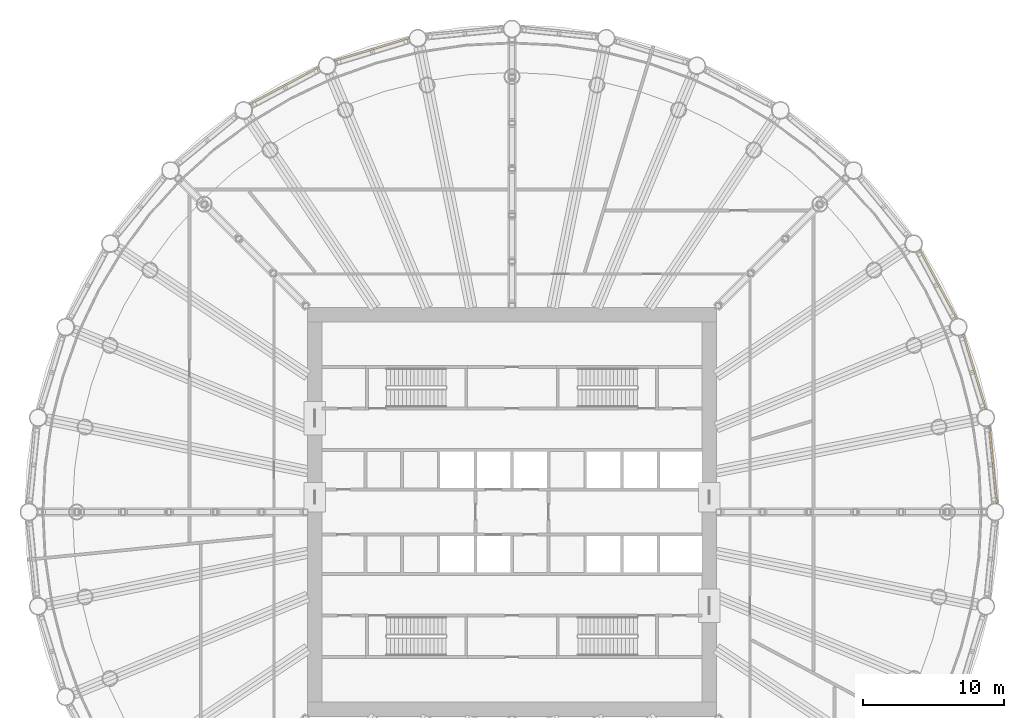
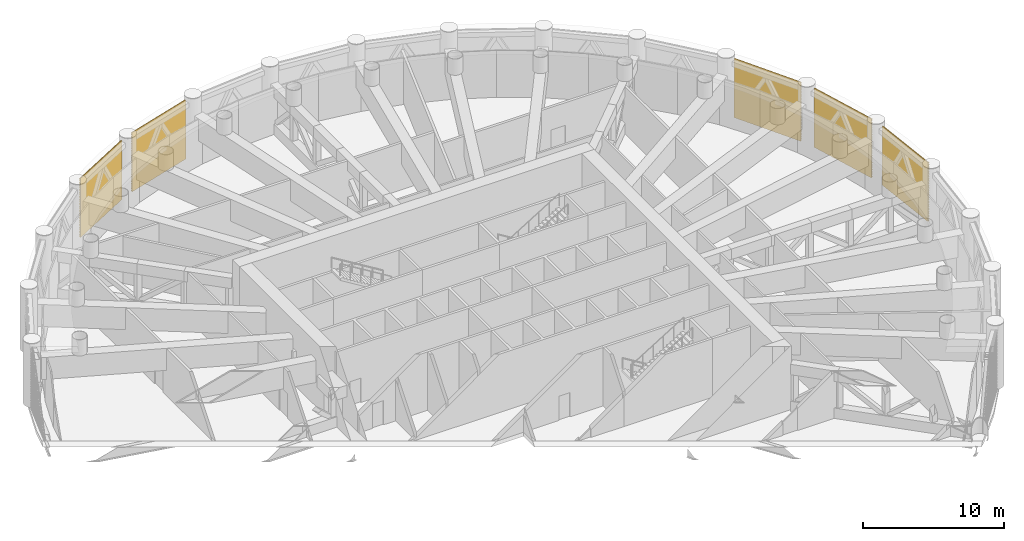
# One storey, part 28 of 29: 5 shading devices, 5 elements without a shape of their own.
"""IFC4 building model written with IfcOpenShell, lengths in metres."""

from ifc_helpers import new_model, si_unit, direction, frame, origin, place, context, subcontext, project, spatial, polyline, outline, extrude, material, material_profile, profile_set, type_object, element, aggregate, save


model = new_model("IFC4")

# Units and contexts
model_context = context("Model", 3, precision=1e-05, world=origin(), true_north=direction((0.0, 1.0)))
body_context = subcontext(model_context, "Body", "Model", "MODEL_VIEW")
ifc_project = project(units=[si_unit("LENGTHUNIT", "METRE"), si_unit("AREAUNIT", "SQUARE_METRE"), si_unit("VOLUMEUNIT", "CUBIC_METRE"), si_unit("PLANEANGLEUNIT", "RADIAN"), si_unit("MASSUNIT", "GRAM", prefix="KILO")], contexts=[model_context])

# Site, building, storey
site_placement = place(None, origin())
site = spatial("IfcSite", under=ifc_project, at=site_placement, CompositionType="ELEMENT")
building_placement = place(site_placement, origin())
building = spatial("IfcBuilding", under=site, at=building_placement, Name="Corvane Civic Tower", CompositionType="ELEMENT")
storey_placement = place(building_placement, frame((0.0, 0.0, 138.5)))
storey = spatial("IfcBuildingStorey", under=building, at=storey_placement, Name="L32", CompositionType="ELEMENT", Elevation=138.5)

# Curtain wall, shading device
ifc_material_1 = material(Name="Anodised aluminium bronze", Category="aluminium")
curtain_wall_type = type_object("IfcCurtainWallType", Name="TOWER CW-LV LOUVRE SCREEN WALL", PredefinedType="NOTDEFINED", material=ifc_material_1)
curtain_wall_1_placement = place(storey_placement, origin())
curtain_wall_1 = element("IfcCurtainWall", 1, at=curtain_wall_1_placement, inside=storey, type_object=curtain_wall_type, Name="Louvre screen wall CW-LV L32 bay 06", PredefinedType="NOTDEFINED")
ifc_material_2 = material(Name="Anodised aluminium bronze", Category="aluminium")
ifc_material_profile = material_profile(ifc_material_2, outline(polyline([(-0.06005859375, -2.56494140625), (-0.0400390625, -2.56494140625), (0.06005859375, -2.492919921875), (0.06005859375, -2.472900390625), (-0.0400390625, -2.544921875), (-0.0400390625, -2.4140625), (0.06005859375, -2.342041015625), (0.06005859375, -2.322021484375), (-0.0400390625, -2.39404296875), (-0.0400390625, -2.26318359375), (0.06005859375, -2.191162109375), (0.06005859375, -2.171142578125), (-0.0400390625, -2.2431640625), (-0.0400390625, -2.1123046875), (0.06005859375, -2.040283203125), (0.06005859375, -2.0205078125), (-0.0400390625, -2.09228515625), (-0.0400390625, -1.96142578125), (0.06005859375, -1.889404296875), (0.06005859375, -1.869384765625), (-0.0400390625, -1.94140625), (-0.0400390625, -1.810546875), (0.06005859375, -1.738525390625), (0.06005859375, -1.718505859375), (-0.0400390625, -1.79052734375), (-0.0400390625, -1.65966796875), (0.06005859375, -1.587646484375), (0.06005859375, -1.567626953125), (-0.0400390625, -1.6396484375), (-0.0400390625, -1.5087890625), (0.06005859375, -1.436767578125), (0.06005859375, -1.416748046875), (-0.0400390625, -1.48876953125), (-0.0400390625, -1.35791015625), (0.06005859375, -1.285888671875), (0.06005859375, -1.265869140625), (-0.0400390625, -1.337890625), (-0.0400390625, -1.20703125), (0.06005859375, -1.135009765625), (0.06005859375, -1.114990234375), (-0.0400390625, -1.18701171875), (-0.0400390625, -1.05615234375), (0.06005859375, -0.984130859375), (0.06005859375, -0.964111328125), (-0.0400390625, -1.0361328125), (-0.0400390625, -0.9052734375), (0.06005859375, -0.833251953125), (0.06005859375, -0.813232421875), (-0.0400390625, -0.88525390625), (-0.0400390625, -0.75439453125), (0.06005859375, -0.682373046875), (0.06005859375, -0.662353515625), (-0.0400390625, -0.734375), (-0.0400390625, -0.603515625), (0.06005859375, -0.531494140625), (0.06005859375, -0.511474609375), (-0.0400390625, -0.58349609375), (-0.0400390625, -0.45263671875), (0.06005859375, -0.380615234375), (0.06005859375, -0.360595703125), (-0.0400390625, -0.4326171875), (-0.0400390625, -0.3017578125), (0.06005859375, -0.229736328125), (0.06005859375, -0.209716796875), (-0.0400390625, -0.28173828125), (-0.0400390625, -0.15087890625), (0.06005859375, -0.078857421875), (0.06005859375, -0.058837890625), (-0.0400390625, -0.130859375), (-0.0400390625, 0.0), (0.06005859375, 0.072021484375), (0.06005859375, 0.092041015625), (-0.0400390625, 0.02001953125), (-0.0400390625, 0.15087890625), (0.06005859375, 0.222900390625), (0.06005859375, 0.242919921875), (-0.0400390625, 0.1708984375), (-0.0400390625, 0.3017578125), (0.06005859375, 0.373779296875), (0.06005859375, 0.393798828125), (-0.0400390625, 0.32177734375), (-0.0400390625, 0.45263671875), (0.06005859375, 0.524658203125), (0.06005859375, 0.544677734375), (-0.0400390625, 0.47265625), (-0.0400390625, 0.603515625), (0.06005859375, 0.675537109375), (0.06005859375, 0.695556640625), (-0.0400390625, 0.62353515625), (-0.0400390625, 0.75439453125), (0.06005859375, 0.826416015625), (0.06005859375, 0.846435546875), (-0.0400390625, 0.7744140625), (-0.0400390625, 0.9052734375), (0.06005859375, 0.977294921875), (0.06005859375, 0.997314453125), (-0.0400390625, 0.92529296875), (-0.0400390625, 1.05615234375), (0.06005859375, 1.128173828125), (0.06005859375, 1.148193359375), (-0.0400390625, 1.076171875), (-0.0400390625, 1.20703125), (0.06005859375, 1.279052734375), (0.06005859375, 1.299072265625), (-0.0400390625, 1.22705078125), (-0.0400390625, 1.35791015625), (0.06005859375, 1.429931640625), (0.06005859375, 1.449951171875), (-0.0400390625, 1.3779296875), (-0.0400390625, 1.5087890625), (0.06005859375, 1.580810546875), (0.06005859375, 1.600830078125), (-0.0400390625, 1.52880859375), (-0.0400390625, 1.65966796875), (0.06005859375, 1.731689453125), (0.06005859375, 1.751708984375), (-0.0400390625, 1.6796875), (-0.0400390625, 1.810546875), (0.06005859375, 1.882568359375), (0.06005859375, 1.902587890625), (-0.0400390625, 1.83056640625), (-0.0400390625, 1.96142578125), (0.06005859375, 2.033447265625), (0.06005859375, 2.053466796875), (-0.0400390625, 1.9814453125), (-0.0400390625, 2.1123046875), (0.06005859375, 2.184326171875), (0.06005859375, 2.204345703125), (-0.0400390625, 2.13232421875), (-0.0400390625, 2.26318359375), (0.06005859375, 2.335205078125), (0.06005859375, 2.355224609375), (-0.0400390625, 2.283203125), (-0.0400390625, 2.4140625), (0.06005859375, 2.486083984375), (0.06005859375, 2.506103515625), (-0.0400390625, 2.43408203125), (-0.0400390625, 2.56494140625), (-0.06005859375, 2.56494140625), (-0.06005859375, -2.56494140625)])), Name="TOWER LOUVRE BANK 5130 BRONZE")
ifc_profile_set = profile_set([ifc_material_profile], Name="Anodised aluminium bronze")
shading_device_type = type_object("IfcShadingDeviceType", Name="TOWER LOUVRE BANK 5130 BRONZE", PredefinedType="USERDEFINED", material=ifc_profile_set)
shading_device_1_placement = place(storey_placement, frame((28.945556640625, 18.63916015625, 2.68505859375), z_axis=(0.47139778253, -0.881920705407, 0.0), x_axis=(0.881920705407, 0.47139778253, 0.0)))
shading_device_1 = element("IfcShadingDevice", 2, at=shading_device_1_placement, type_object=shading_device_type, Name="Louvre bank L32 06.1", ObjectType="LOUVRE", PredefinedType="USERDEFINED", context=body_context, shape_type="SweptSolid", body=[
    extrude(outline(polyline([(-0.06005859375, -2.56494140625), (-0.0400390625, -2.56494140625), (0.06005859375, -2.492919921875), (0.06005859375, -2.472900390625), (-0.0400390625, -2.544921875), (-0.0400390625, -2.4140625), (0.06005859375, -2.342041015625), (0.06005859375, -2.322021484375), (-0.0400390625, -2.39404296875), (-0.0400390625, -2.26318359375), (0.06005859375, -2.191162109375), (0.06005859375, -2.171142578125), (-0.0400390625, -2.2431640625), (-0.0400390625, -2.1123046875), (0.06005859375, -2.040283203125), (0.06005859375, -2.0205078125), (-0.0400390625, -2.09228515625), (-0.0400390625, -1.96142578125), (0.06005859375, -1.889404296875), (0.06005859375, -1.869384765625), (-0.0400390625, -1.94140625), (-0.0400390625, -1.810546875), (0.06005859375, -1.738525390625), (0.06005859375, -1.718505859375), (-0.0400390625, -1.79052734375), (-0.0400390625, -1.65966796875), (0.06005859375, -1.587646484375), (0.06005859375, -1.567626953125), (-0.0400390625, -1.6396484375), (-0.0400390625, -1.5087890625), (0.06005859375, -1.436767578125), (0.06005859375, -1.416748046875), (-0.0400390625, -1.48876953125), (-0.0400390625, -1.35791015625), (0.06005859375, -1.285888671875), (0.06005859375, -1.265869140625), (-0.0400390625, -1.337890625), (-0.0400390625, -1.20703125), (0.06005859375, -1.135009765625), (0.06005859375, -1.114990234375), (-0.0400390625, -1.18701171875), (-0.0400390625, -1.05615234375), (0.06005859375, -0.984130859375), (0.06005859375, -0.964111328125), (-0.0400390625, -1.0361328125), (-0.0400390625, -0.9052734375), (0.06005859375, -0.833251953125), (0.06005859375, -0.813232421875), (-0.0400390625, -0.88525390625), (-0.0400390625, -0.75439453125), (0.06005859375, -0.682373046875), (0.06005859375, -0.662353515625), (-0.0400390625, -0.734375), (-0.0400390625, -0.603515625), (0.06005859375, -0.531494140625), (0.06005859375, -0.511474609375), (-0.0400390625, -0.58349609375), (-0.0400390625, -0.45263671875), (0.06005859375, -0.380615234375), (0.06005859375, -0.360595703125), (-0.0400390625, -0.4326171875), (-0.0400390625, -0.3017578125), (0.06005859375, -0.229736328125), (0.06005859375, -0.209716796875), (-0.0400390625, -0.28173828125), (-0.0400390625, -0.15087890625), (0.06005859375, -0.078857421875), (0.06005859375, -0.058837890625), (-0.0400390625, -0.130859375), (-0.0400390625, 0.0), (0.06005859375, 0.072021484375), (0.06005859375, 0.092041015625), (-0.0400390625, 0.02001953125), (-0.0400390625, 0.15087890625), (0.06005859375, 0.222900390625), (0.06005859375, 0.242919921875), (-0.0400390625, 0.1708984375), (-0.0400390625, 0.3017578125), (0.06005859375, 0.373779296875), (0.06005859375, 0.393798828125), (-0.0400390625, 0.32177734375), (-0.0400390625, 0.45263671875), (0.06005859375, 0.524658203125), (0.06005859375, 0.544677734375), (-0.0400390625, 0.47265625), (-0.0400390625, 0.603515625), (0.06005859375, 0.675537109375), (0.06005859375, 0.695556640625), (-0.0400390625, 0.62353515625), (-0.0400390625, 0.75439453125), (0.06005859375, 0.826416015625), (0.06005859375, 0.846435546875), (-0.0400390625, 0.7744140625), (-0.0400390625, 0.9052734375), (0.06005859375, 0.977294921875), (0.06005859375, 0.997314453125), (-0.0400390625, 0.92529296875), (-0.0400390625, 1.05615234375), (0.06005859375, 1.128173828125), (0.06005859375, 1.148193359375), (-0.0400390625, 1.076171875), (-0.0400390625, 1.20703125), (0.06005859375, 1.279052734375), (0.06005859375, 1.299072265625), (-0.0400390625, 1.22705078125), (-0.0400390625, 1.35791015625), (0.06005859375, 1.429931640625), (0.06005859375, 1.449951171875), (-0.0400390625, 1.3779296875), (-0.0400390625, 1.5087890625), (0.06005859375, 1.580810546875), (0.06005859375, 1.600830078125), (-0.0400390625, 1.52880859375), (-0.0400390625, 1.65966796875), (0.06005859375, 1.731689453125), (0.06005859375, 1.751708984375), (-0.0400390625, 1.6796875), (-0.0400390625, 1.810546875), (0.06005859375, 1.882568359375), (0.06005859375, 1.902587890625), (-0.0400390625, 1.83056640625), (-0.0400390625, 1.96142578125), (0.06005859375, 2.033447265625), (0.06005859375, 2.053466796875), (-0.0400390625, 1.9814453125), (-0.0400390625, 2.1123046875), (0.06005859375, 2.184326171875), (0.06005859375, 2.204345703125), (-0.0400390625, 2.13232421875), (-0.0400390625, 2.26318359375), (0.06005859375, 2.335205078125), (0.06005859375, 2.355224609375), (-0.0400390625, 2.283203125), (-0.0400390625, 2.4140625), (0.06005859375, 2.486083984375), (0.06005859375, 2.506103515625), (-0.0400390625, 2.43408203125), (-0.0400390625, 2.56494140625), (-0.06005859375, 2.56494140625), (-0.06005859375, -2.56494140625)])), origin(), (0.0, 0.0, 1.0), 5.586669921875),
])
aggregate(curtain_wall_1, [shading_device_1])

curtain_wall_2_placement = place(storey_placement, origin())
curtain_wall_2 = element("IfcCurtainWall", 3, at=curtain_wall_2_placement, inside=storey, type_object=curtain_wall_type, Name="Louvre screen wall CW-LV L32 bay 07", PredefinedType="NOTDEFINED")
shading_device_2_placement = place(storey_placement, frame((32.025634765625, 12.6337890625, 2.68505859375), z_axis=(0.290269376509, -0.956944977029, 0.0), x_axis=(0.956944977029, 0.290269376509, 0.0)))
shading_device_2 = element("IfcShadingDevice", 4, at=shading_device_2_placement, type_object=shading_device_type, Name="Louvre bank L32 07.1", ObjectType="LOUVRE", PredefinedType="USERDEFINED", context=body_context, shape_type="SweptSolid", body=[
    extrude(outline(polyline([(-0.06005859375, -2.56494140625), (-0.0400390625, -2.56494140625), (0.06005859375, -2.492919921875), (0.06005859375, -2.472900390625), (-0.0400390625, -2.544921875), (-0.0400390625, -2.4140625), (0.06005859375, -2.342041015625), (0.06005859375, -2.322021484375), (-0.0400390625, -2.39404296875), (-0.0400390625, -2.26318359375), (0.06005859375, -2.191162109375), (0.06005859375, -2.171142578125), (-0.0400390625, -2.2431640625), (-0.0400390625, -2.1123046875), (0.06005859375, -2.040283203125), (0.06005859375, -2.0205078125), (-0.0400390625, -2.09228515625), (-0.0400390625, -1.96142578125), (0.06005859375, -1.889404296875), (0.06005859375, -1.869384765625), (-0.0400390625, -1.94140625), (-0.0400390625, -1.810546875), (0.06005859375, -1.738525390625), (0.06005859375, -1.718505859375), (-0.0400390625, -1.79052734375), (-0.0400390625, -1.65966796875), (0.06005859375, -1.587646484375), (0.06005859375, -1.567626953125), (-0.0400390625, -1.6396484375), (-0.0400390625, -1.5087890625), (0.06005859375, -1.436767578125), (0.06005859375, -1.416748046875), (-0.0400390625, -1.48876953125), (-0.0400390625, -1.35791015625), (0.06005859375, -1.285888671875), (0.06005859375, -1.265869140625), (-0.0400390625, -1.337890625), (-0.0400390625, -1.20703125), (0.06005859375, -1.135009765625), (0.06005859375, -1.114990234375), (-0.0400390625, -1.18701171875), (-0.0400390625, -1.05615234375), (0.06005859375, -0.984130859375), (0.06005859375, -0.964111328125), (-0.0400390625, -1.0361328125), (-0.0400390625, -0.9052734375), (0.06005859375, -0.833251953125), (0.06005859375, -0.813232421875), (-0.0400390625, -0.88525390625), (-0.0400390625, -0.75439453125), (0.06005859375, -0.682373046875), (0.06005859375, -0.662353515625), (-0.0400390625, -0.734375), (-0.0400390625, -0.603515625), (0.06005859375, -0.531494140625), (0.06005859375, -0.511474609375), (-0.0400390625, -0.58349609375), (-0.0400390625, -0.45263671875), (0.06005859375, -0.380615234375), (0.06005859375, -0.360595703125), (-0.0400390625, -0.4326171875), (-0.0400390625, -0.3017578125), (0.06005859375, -0.229736328125), (0.06005859375, -0.209716796875), (-0.0400390625, -0.28173828125), (-0.0400390625, -0.15087890625), (0.06005859375, -0.078857421875), (0.06005859375, -0.058837890625), (-0.0400390625, -0.130859375), (-0.0400390625, 0.0), (0.06005859375, 0.072021484375), (0.06005859375, 0.092041015625), (-0.0400390625, 0.02001953125), (-0.0400390625, 0.15087890625), (0.06005859375, 0.222900390625), (0.06005859375, 0.242919921875), (-0.0400390625, 0.1708984375), (-0.0400390625, 0.3017578125), (0.06005859375, 0.373779296875), (0.06005859375, 0.393798828125), (-0.0400390625, 0.32177734375), (-0.0400390625, 0.45263671875), (0.06005859375, 0.524658203125), (0.06005859375, 0.544677734375), (-0.0400390625, 0.47265625), (-0.0400390625, 0.603515625), (0.06005859375, 0.675537109375), (0.06005859375, 0.695556640625), (-0.0400390625, 0.62353515625), (-0.0400390625, 0.75439453125), (0.06005859375, 0.826416015625), (0.06005859375, 0.846435546875), (-0.0400390625, 0.7744140625), (-0.0400390625, 0.9052734375), (0.06005859375, 0.977294921875), (0.06005859375, 0.997314453125), (-0.0400390625, 0.92529296875), (-0.0400390625, 1.05615234375), (0.06005859375, 1.128173828125), (0.06005859375, 1.148193359375), (-0.0400390625, 1.076171875), (-0.0400390625, 1.20703125), (0.06005859375, 1.279052734375), (0.06005859375, 1.299072265625), (-0.0400390625, 1.22705078125), (-0.0400390625, 1.35791015625), (0.06005859375, 1.429931640625), (0.06005859375, 1.449951171875), (-0.0400390625, 1.3779296875), (-0.0400390625, 1.5087890625), (0.06005859375, 1.580810546875), (0.06005859375, 1.600830078125), (-0.0400390625, 1.52880859375), (-0.0400390625, 1.65966796875), (0.06005859375, 1.731689453125), (0.06005859375, 1.751708984375), (-0.0400390625, 1.6796875), (-0.0400390625, 1.810546875), (0.06005859375, 1.882568359375), (0.06005859375, 1.902587890625), (-0.0400390625, 1.83056640625), (-0.0400390625, 1.96142578125), (0.06005859375, 2.033447265625), (0.06005859375, 2.053466796875), (-0.0400390625, 1.9814453125), (-0.0400390625, 2.1123046875), (0.06005859375, 2.184326171875), (0.06005859375, 2.204345703125), (-0.0400390625, 2.13232421875), (-0.0400390625, 2.26318359375), (0.06005859375, 2.335205078125), (0.06005859375, 2.355224609375), (-0.0400390625, 2.283203125), (-0.0400390625, 2.4140625), (0.06005859375, 2.486083984375), (0.06005859375, 2.506103515625), (-0.0400390625, 2.43408203125), (-0.0400390625, 2.56494140625), (-0.06005859375, 2.56494140625), (-0.06005859375, -2.56494140625)])), origin(), (0.0, 0.0, 1.0), 5.58642578125),
])
aggregate(curtain_wall_2, [shading_device_2])

curtain_wall_3_placement = place(storey_placement, origin())
curtain_wall_3 = element("IfcCurtainWall", 5, at=curtain_wall_3_placement, inside=storey, type_object=curtain_wall_type, Name="Louvre screen wall CW-LV L32 bay 08", PredefinedType="NOTDEFINED")
shading_device_3_placement = place(storey_placement, frame((33.874755859375, 6.14306640625, 2.68505859375), z_axis=(0.098067077419, -0.995179807033, 0.0), x_axis=(0.995179807033, 0.098067077419, 0.0)))
shading_device_3 = element("IfcShadingDevice", 6, at=shading_device_3_placement, type_object=shading_device_type, Name="Louvre bank L32 08.1", ObjectType="LOUVRE", PredefinedType="USERDEFINED", context=body_context, shape_type="SweptSolid", body=[
    extrude(outline(polyline([(-0.06005859375, -2.56494140625), (-0.0400390625, -2.56494140625), (0.06005859375, -2.492919921875), (0.06005859375, -2.472900390625), (-0.0400390625, -2.544921875), (-0.0400390625, -2.4140625), (0.06005859375, -2.342041015625), (0.06005859375, -2.322021484375), (-0.0400390625, -2.39404296875), (-0.0400390625, -2.26318359375), (0.06005859375, -2.191162109375), (0.06005859375, -2.171142578125), (-0.0400390625, -2.2431640625), (-0.0400390625, -2.1123046875), (0.06005859375, -2.040283203125), (0.06005859375, -2.0205078125), (-0.0400390625, -2.09228515625), (-0.0400390625, -1.96142578125), (0.06005859375, -1.889404296875), (0.06005859375, -1.869384765625), (-0.0400390625, -1.94140625), (-0.0400390625, -1.810546875), (0.06005859375, -1.738525390625), (0.06005859375, -1.718505859375), (-0.0400390625, -1.79052734375), (-0.0400390625, -1.65966796875), (0.06005859375, -1.587646484375), (0.06005859375, -1.567626953125), (-0.0400390625, -1.6396484375), (-0.0400390625, -1.5087890625), (0.06005859375, -1.436767578125), (0.06005859375, -1.416748046875), (-0.0400390625, -1.48876953125), (-0.0400390625, -1.35791015625), (0.06005859375, -1.285888671875), (0.06005859375, -1.265869140625), (-0.0400390625, -1.337890625), (-0.0400390625, -1.20703125), (0.06005859375, -1.135009765625), (0.06005859375, -1.114990234375), (-0.0400390625, -1.18701171875), (-0.0400390625, -1.05615234375), (0.06005859375, -0.984130859375), (0.06005859375, -0.964111328125), (-0.0400390625, -1.0361328125), (-0.0400390625, -0.9052734375), (0.06005859375, -0.833251953125), (0.06005859375, -0.813232421875), (-0.0400390625, -0.88525390625), (-0.0400390625, -0.75439453125), (0.06005859375, -0.682373046875), (0.06005859375, -0.662353515625), (-0.0400390625, -0.734375), (-0.0400390625, -0.603515625), (0.06005859375, -0.531494140625), (0.06005859375, -0.511474609375), (-0.0400390625, -0.58349609375), (-0.0400390625, -0.45263671875), (0.06005859375, -0.380615234375), (0.06005859375, -0.360595703125), (-0.0400390625, -0.4326171875), (-0.0400390625, -0.3017578125), (0.06005859375, -0.229736328125), (0.06005859375, -0.209716796875), (-0.0400390625, -0.28173828125), (-0.0400390625, -0.15087890625), (0.06005859375, -0.078857421875), (0.06005859375, -0.058837890625), (-0.0400390625, -0.130859375), (-0.0400390625, 0.0), (0.06005859375, 0.072021484375), (0.06005859375, 0.092041015625), (-0.0400390625, 0.02001953125), (-0.0400390625, 0.15087890625), (0.06005859375, 0.222900390625), (0.06005859375, 0.242919921875), (-0.0400390625, 0.1708984375), (-0.0400390625, 0.3017578125), (0.06005859375, 0.373779296875), (0.06005859375, 0.393798828125), (-0.0400390625, 0.32177734375), (-0.0400390625, 0.45263671875), (0.06005859375, 0.524658203125), (0.06005859375, 0.544677734375), (-0.0400390625, 0.47265625), (-0.0400390625, 0.603515625), (0.06005859375, 0.675537109375), (0.06005859375, 0.695556640625), (-0.0400390625, 0.62353515625), (-0.0400390625, 0.75439453125), (0.06005859375, 0.826416015625), (0.06005859375, 0.846435546875), (-0.0400390625, 0.7744140625), (-0.0400390625, 0.9052734375), (0.06005859375, 0.977294921875), (0.06005859375, 0.997314453125), (-0.0400390625, 0.92529296875), (-0.0400390625, 1.05615234375), (0.06005859375, 1.128173828125), (0.06005859375, 1.148193359375), (-0.0400390625, 1.076171875), (-0.0400390625, 1.20703125), (0.06005859375, 1.279052734375), (0.06005859375, 1.299072265625), (-0.0400390625, 1.22705078125), (-0.0400390625, 1.35791015625), (0.06005859375, 1.429931640625), (0.06005859375, 1.449951171875), (-0.0400390625, 1.3779296875), (-0.0400390625, 1.5087890625), (0.06005859375, 1.580810546875), (0.06005859375, 1.600830078125), (-0.0400390625, 1.52880859375), (-0.0400390625, 1.65966796875), (0.06005859375, 1.731689453125), (0.06005859375, 1.751708984375), (-0.0400390625, 1.6796875), (-0.0400390625, 1.810546875), (0.06005859375, 1.882568359375), (0.06005859375, 1.902587890625), (-0.0400390625, 1.83056640625), (-0.0400390625, 1.96142578125), (0.06005859375, 2.033447265625), (0.06005859375, 2.053466796875), (-0.0400390625, 1.9814453125), (-0.0400390625, 2.1123046875), (0.06005859375, 2.184326171875), (0.06005859375, 2.204345703125), (-0.0400390625, 2.13232421875), (-0.0400390625, 2.26318359375), (0.06005859375, 2.335205078125), (0.06005859375, 2.355224609375), (-0.0400390625, 2.283203125), (-0.0400390625, 2.4140625), (0.06005859375, 2.486083984375), (0.06005859375, 2.506103515625), (-0.0400390625, 2.43408203125), (-0.0400390625, 2.56494140625), (-0.06005859375, 2.56494140625), (-0.06005859375, -2.56494140625)])), origin(), (0.0, 0.0, 1.0), 5.58642578125),
])
aggregate(curtain_wall_3, [shading_device_3])

curtain_wall_4_placement = place(storey_placement, origin())
curtain_wall_4 = element("IfcCurtainWall", 7, at=curtain_wall_4_placement, inside=storey, type_object=curtain_wall_type, Name="Louvre screen wall CW-LV L32 bay 30", PredefinedType="NOTDEFINED")
shading_device_4_placement = place(storey_placement, frame((-18.63916015625, 28.945556640625, 2.68505859375), z_axis=(0.881920705407, 0.47139778253, 0.0), x_axis=(-0.47139778253, 0.881920705407, 0.0)))
shading_device_4 = element("IfcShadingDevice", 8, at=shading_device_4_placement, type_object=shading_device_type, Name="Louvre bank L32 30.1", ObjectType="LOUVRE", PredefinedType="USERDEFINED", context=body_context, shape_type="SweptSolid", body=[
    extrude(outline(polyline([(-0.06005859375, -2.56494140625), (-0.0400390625, -2.56494140625), (0.06005859375, -2.492919921875), (0.06005859375, -2.472900390625), (-0.0400390625, -2.544921875), (-0.0400390625, -2.4140625), (0.06005859375, -2.342041015625), (0.06005859375, -2.322021484375), (-0.0400390625, -2.39404296875), (-0.0400390625, -2.26318359375), (0.06005859375, -2.191162109375), (0.06005859375, -2.171142578125), (-0.0400390625, -2.2431640625), (-0.0400390625, -2.1123046875), (0.06005859375, -2.040283203125), (0.06005859375, -2.0205078125), (-0.0400390625, -2.09228515625), (-0.0400390625, -1.96142578125), (0.06005859375, -1.889404296875), (0.06005859375, -1.869384765625), (-0.0400390625, -1.94140625), (-0.0400390625, -1.810546875), (0.06005859375, -1.738525390625), (0.06005859375, -1.718505859375), (-0.0400390625, -1.79052734375), (-0.0400390625, -1.65966796875), (0.06005859375, -1.587646484375), (0.06005859375, -1.567626953125), (-0.0400390625, -1.6396484375), (-0.0400390625, -1.5087890625), (0.06005859375, -1.436767578125), (0.06005859375, -1.416748046875), (-0.0400390625, -1.48876953125), (-0.0400390625, -1.35791015625), (0.06005859375, -1.285888671875), (0.06005859375, -1.265869140625), (-0.0400390625, -1.337890625), (-0.0400390625, -1.20703125), (0.06005859375, -1.135009765625), (0.06005859375, -1.114990234375), (-0.0400390625, -1.18701171875), (-0.0400390625, -1.05615234375), (0.06005859375, -0.984130859375), (0.06005859375, -0.964111328125), (-0.0400390625, -1.0361328125), (-0.0400390625, -0.9052734375), (0.06005859375, -0.833251953125), (0.06005859375, -0.813232421875), (-0.0400390625, -0.88525390625), (-0.0400390625, -0.75439453125), (0.06005859375, -0.682373046875), (0.06005859375, -0.662353515625), (-0.0400390625, -0.734375), (-0.0400390625, -0.603515625), (0.06005859375, -0.531494140625), (0.06005859375, -0.511474609375), (-0.0400390625, -0.58349609375), (-0.0400390625, -0.45263671875), (0.06005859375, -0.380615234375), (0.06005859375, -0.360595703125), (-0.0400390625, -0.4326171875), (-0.0400390625, -0.3017578125), (0.06005859375, -0.229736328125), (0.06005859375, -0.209716796875), (-0.0400390625, -0.28173828125), (-0.0400390625, -0.15087890625), (0.06005859375, -0.078857421875), (0.06005859375, -0.058837890625), (-0.0400390625, -0.130859375), (-0.0400390625, 0.0), (0.06005859375, 0.072021484375), (0.06005859375, 0.092041015625), (-0.0400390625, 0.02001953125), (-0.0400390625, 0.15087890625), (0.06005859375, 0.222900390625), (0.06005859375, 0.242919921875), (-0.0400390625, 0.1708984375), (-0.0400390625, 0.3017578125), (0.06005859375, 0.373779296875), (0.06005859375, 0.393798828125), (-0.0400390625, 0.32177734375), (-0.0400390625, 0.45263671875), (0.06005859375, 0.524658203125), (0.06005859375, 0.544677734375), (-0.0400390625, 0.47265625), (-0.0400390625, 0.603515625), (0.06005859375, 0.675537109375), (0.06005859375, 0.695556640625), (-0.0400390625, 0.62353515625), (-0.0400390625, 0.75439453125), (0.06005859375, 0.826416015625), (0.06005859375, 0.846435546875), (-0.0400390625, 0.7744140625), (-0.0400390625, 0.9052734375), (0.06005859375, 0.977294921875), (0.06005859375, 0.997314453125), (-0.0400390625, 0.92529296875), (-0.0400390625, 1.05615234375), (0.06005859375, 1.128173828125), (0.06005859375, 1.148193359375), (-0.0400390625, 1.076171875), (-0.0400390625, 1.20703125), (0.06005859375, 1.279052734375), (0.06005859375, 1.299072265625), (-0.0400390625, 1.22705078125), (-0.0400390625, 1.35791015625), (0.06005859375, 1.429931640625), (0.06005859375, 1.449951171875), (-0.0400390625, 1.3779296875), (-0.0400390625, 1.5087890625), (0.06005859375, 1.580810546875), (0.06005859375, 1.600830078125), (-0.0400390625, 1.52880859375), (-0.0400390625, 1.65966796875), (0.06005859375, 1.731689453125), (0.06005859375, 1.751708984375), (-0.0400390625, 1.6796875), (-0.0400390625, 1.810546875), (0.06005859375, 1.882568359375), (0.06005859375, 1.902587890625), (-0.0400390625, 1.83056640625), (-0.0400390625, 1.96142578125), (0.06005859375, 2.033447265625), (0.06005859375, 2.053466796875), (-0.0400390625, 1.9814453125), (-0.0400390625, 2.1123046875), (0.06005859375, 2.184326171875), (0.06005859375, 2.204345703125), (-0.0400390625, 2.13232421875), (-0.0400390625, 2.26318359375), (0.06005859375, 2.335205078125), (0.06005859375, 2.355224609375), (-0.0400390625, 2.283203125), (-0.0400390625, 2.4140625), (0.06005859375, 2.486083984375), (0.06005859375, 2.506103515625), (-0.0400390625, 2.43408203125), (-0.0400390625, 2.56494140625), (-0.06005859375, 2.56494140625), (-0.06005859375, -2.56494140625)])), origin(), (0.0, 0.0, 1.0), 5.586669921875),
])
aggregate(curtain_wall_4, [shading_device_4])

curtain_wall_5_placement = place(storey_placement, origin())
curtain_wall_5 = element("IfcCurtainWall", 9, at=curtain_wall_5_placement, inside=storey, type_object=curtain_wall_type, Name="Louvre screen wall CW-LV L32 bay 31", PredefinedType="NOTDEFINED")
shading_device_5_placement = place(storey_placement, frame((-12.6337890625, 32.025634765625, 2.68505859375), z_axis=(0.956944977029, 0.290269376509, 0.0), x_axis=(-0.290269376509, 0.956944977029, 0.0)))
shading_device_5 = element("IfcShadingDevice", 10, at=shading_device_5_placement, type_object=shading_device_type, Name="Louvre bank L32 31.1", ObjectType="LOUVRE", PredefinedType="USERDEFINED", context=body_context, shape_type="SweptSolid", body=[
    extrude(outline(polyline([(-0.06005859375, -2.56494140625), (-0.0400390625, -2.56494140625), (0.06005859375, -2.492919921875), (0.06005859375, -2.472900390625), (-0.0400390625, -2.544921875), (-0.0400390625, -2.4140625), (0.06005859375, -2.342041015625), (0.06005859375, -2.322021484375), (-0.0400390625, -2.39404296875), (-0.0400390625, -2.26318359375), (0.06005859375, -2.191162109375), (0.06005859375, -2.171142578125), (-0.0400390625, -2.2431640625), (-0.0400390625, -2.1123046875), (0.06005859375, -2.040283203125), (0.06005859375, -2.0205078125), (-0.0400390625, -2.09228515625), (-0.0400390625, -1.96142578125), (0.06005859375, -1.889404296875), (0.06005859375, -1.869384765625), (-0.0400390625, -1.94140625), (-0.0400390625, -1.810546875), (0.06005859375, -1.738525390625), (0.06005859375, -1.718505859375), (-0.0400390625, -1.79052734375), (-0.0400390625, -1.65966796875), (0.06005859375, -1.587646484375), (0.06005859375, -1.567626953125), (-0.0400390625, -1.6396484375), (-0.0400390625, -1.5087890625), (0.06005859375, -1.436767578125), (0.06005859375, -1.416748046875), (-0.0400390625, -1.48876953125), (-0.0400390625, -1.35791015625), (0.06005859375, -1.285888671875), (0.06005859375, -1.265869140625), (-0.0400390625, -1.337890625), (-0.0400390625, -1.20703125), (0.06005859375, -1.135009765625), (0.06005859375, -1.114990234375), (-0.0400390625, -1.18701171875), (-0.0400390625, -1.05615234375), (0.06005859375, -0.984130859375), (0.06005859375, -0.964111328125), (-0.0400390625, -1.0361328125), (-0.0400390625, -0.9052734375), (0.06005859375, -0.833251953125), (0.06005859375, -0.813232421875), (-0.0400390625, -0.88525390625), (-0.0400390625, -0.75439453125), (0.06005859375, -0.682373046875), (0.06005859375, -0.662353515625), (-0.0400390625, -0.734375), (-0.0400390625, -0.603515625), (0.06005859375, -0.531494140625), (0.06005859375, -0.511474609375), (-0.0400390625, -0.58349609375), (-0.0400390625, -0.45263671875), (0.06005859375, -0.380615234375), (0.06005859375, -0.360595703125), (-0.0400390625, -0.4326171875), (-0.0400390625, -0.3017578125), (0.06005859375, -0.229736328125), (0.06005859375, -0.209716796875), (-0.0400390625, -0.28173828125), (-0.0400390625, -0.15087890625), (0.06005859375, -0.078857421875), (0.06005859375, -0.058837890625), (-0.0400390625, -0.130859375), (-0.0400390625, 0.0), (0.06005859375, 0.072021484375), (0.06005859375, 0.092041015625), (-0.0400390625, 0.02001953125), (-0.0400390625, 0.15087890625), (0.06005859375, 0.222900390625), (0.06005859375, 0.242919921875), (-0.0400390625, 0.1708984375), (-0.0400390625, 0.3017578125), (0.06005859375, 0.373779296875), (0.06005859375, 0.393798828125), (-0.0400390625, 0.32177734375), (-0.0400390625, 0.45263671875), (0.06005859375, 0.524658203125), (0.06005859375, 0.544677734375), (-0.0400390625, 0.47265625), (-0.0400390625, 0.603515625), (0.06005859375, 0.675537109375), (0.06005859375, 0.695556640625), (-0.0400390625, 0.62353515625), (-0.0400390625, 0.75439453125), (0.06005859375, 0.826416015625), (0.06005859375, 0.846435546875), (-0.0400390625, 0.7744140625), (-0.0400390625, 0.9052734375), (0.06005859375, 0.977294921875), (0.06005859375, 0.997314453125), (-0.0400390625, 0.92529296875), (-0.0400390625, 1.05615234375), (0.06005859375, 1.128173828125), (0.06005859375, 1.148193359375), (-0.0400390625, 1.076171875), (-0.0400390625, 1.20703125), (0.06005859375, 1.279052734375), (0.06005859375, 1.299072265625), (-0.0400390625, 1.22705078125), (-0.0400390625, 1.35791015625), (0.06005859375, 1.429931640625), (0.06005859375, 1.449951171875), (-0.0400390625, 1.3779296875), (-0.0400390625, 1.5087890625), (0.06005859375, 1.580810546875), (0.06005859375, 1.600830078125), (-0.0400390625, 1.52880859375), (-0.0400390625, 1.65966796875), (0.06005859375, 1.731689453125), (0.06005859375, 1.751708984375), (-0.0400390625, 1.6796875), (-0.0400390625, 1.810546875), (0.06005859375, 1.882568359375), (0.06005859375, 1.902587890625), (-0.0400390625, 1.83056640625), (-0.0400390625, 1.96142578125), (0.06005859375, 2.033447265625), (0.06005859375, 2.053466796875), (-0.0400390625, 1.9814453125), (-0.0400390625, 2.1123046875), (0.06005859375, 2.184326171875), (0.06005859375, 2.204345703125), (-0.0400390625, 2.13232421875), (-0.0400390625, 2.26318359375), (0.06005859375, 2.335205078125), (0.06005859375, 2.355224609375), (-0.0400390625, 2.283203125), (-0.0400390625, 2.4140625), (0.06005859375, 2.486083984375), (0.06005859375, 2.506103515625), (-0.0400390625, 2.43408203125), (-0.0400390625, 2.56494140625), (-0.06005859375, 2.56494140625), (-0.06005859375, -2.56494140625)])), origin(), (0.0, 0.0, 1.0), 5.58642578125),
])
aggregate(curtain_wall_5, [shading_device_5])

save(model, "model.ifc")
